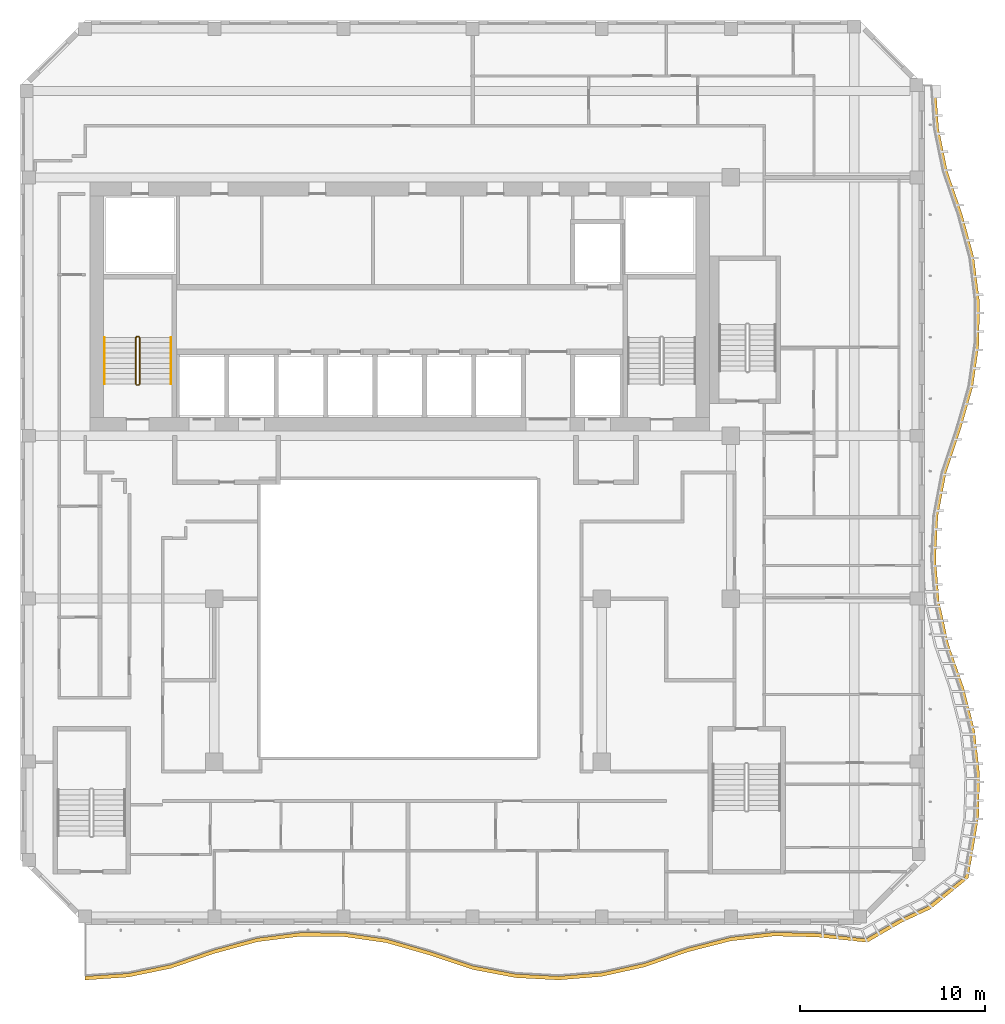
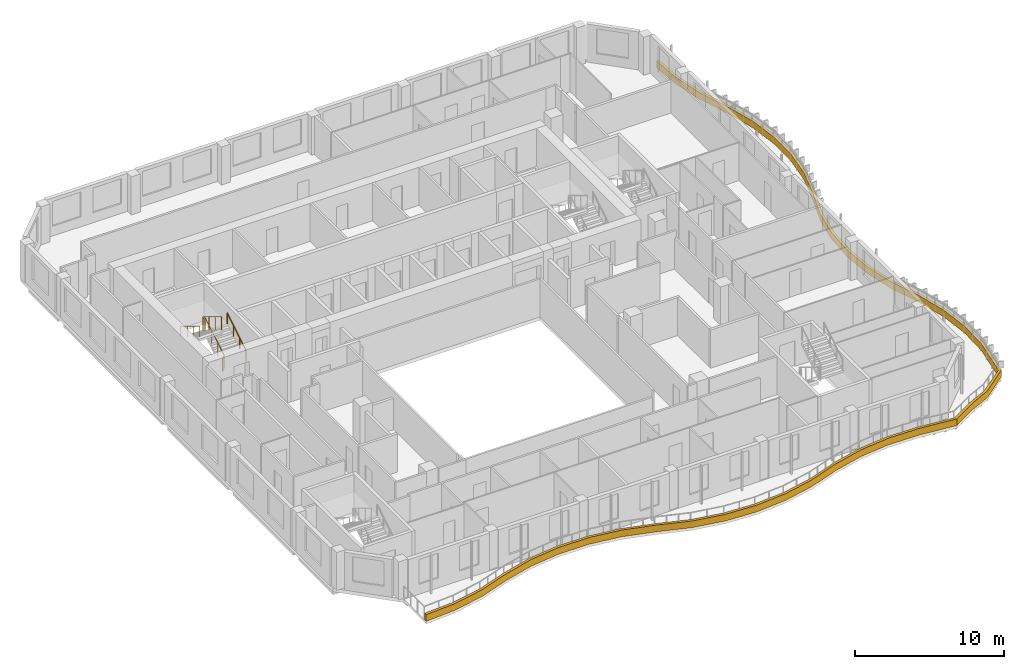
# One storey, part 14 of 19: 3 railings, 1 shading device.
"""IFC4 building model written with IfcOpenShell, lengths in metres."""

from ifc_helpers import new_model, si_unit, direction, frame, origin, origin_2d, place, context, subcontext, project, spatial, polyline, circle, outline, extrude, source, transform, mapped, material, layer, layer_set, type_object, element, save


model = new_model("IFC4")

# Units and contexts
model_context = context("Model", 3, precision=1e-05, world=origin(), true_north=direction((0.0, 1.0)))
body_context = subcontext(model_context, "Body", "Model", "MODEL_VIEW")
ifc_project = project(units=[si_unit("LENGTHUNIT", "METRE"), si_unit("AREAUNIT", "SQUARE_METRE"), si_unit("VOLUMEUNIT", "CUBIC_METRE"), si_unit("PLANEANGLEUNIT", "RADIAN"), si_unit("MASSUNIT", "GRAM", prefix="KILO")], contexts=[model_context])

# Site, building, storey
site_placement = place(None, origin())
site = spatial("IfcSite", under=ifc_project, at=site_placement, CompositionType="ELEMENT")
building_placement = place(site_placement, origin())
building = spatial("IfcBuilding", under=site, at=building_placement, Name="Kilnfold Tower and Market Hall", CompositionType="ELEMENT")
storey_placement = place(building_placement, frame((0.0, 0.0, 252.60009765625)))
storey = spatial("IfcBuildingStorey", under=building, at=storey_placement, Name="L61", CompositionType="ELEMENT", Elevation=252.60009765625)

# Railings
ifc_material_1 = material(Name="Stainless steel 316", Category="steel")
railing_type_1 = type_object("IfcRailingType", Name="CORE STAIR GUARD 1100", PredefinedType="GUARDRAIL", material=ifc_material_1)
railing_1_placement = place(storey_placement, frame((-13.199951171875, 10.75, 0.0)))
element("IfcRailing", 1, at=railing_1_placement, inside=storey, type_object=railing_type_1, Name="L61 ST1 stair guard 1", PredefinedType="GUARDRAIL", context=body_context, shape_type="SweptSolid", body=[
    extrude(circle(Radius=0.02392578125, at=origin_2d()), frame((0.0, 0.0, 1.076171875), z_axis=(1.0, 0.0, 0.0), x_axis=(0.0, 1.0, 0.0)), (0.0, 0.0, 1.0), 0.099853515625),
    extrude(circle(Radius=0.02392578125, at=origin_2d()), frame((0.099853515625, 0.0, 1.076171875), z_axis=(0.271895245746, 0.271895245746, 0.923117517265), x_axis=(-0.707106781187, 0.707106781187, 0.0)), (0.0, 0.0, 1.0), 0.18408203125),
    extrude(circle(Radius=0.02392578125, at=origin_2d()), frame((0.14990234375, 0.050048828125, 1.24609375), z_axis=(0.0, 0.85478489116, 0.518982456201), x_axis=(-1.0, 0.0, 0.0)), (0.0, 0.0, 1.0), 2.9482421875),
    extrude(circle(Radius=0.02392578125, at=origin_2d()), frame((0.14990234375, 2.570068359375, 2.77587890625), z_axis=(-0.707106781187, 0.707106781187, 0.0), x_axis=(-0.707106781187, -0.707106781187, 0.0)), (0.0, 0.0, 1.0), 0.07080078125),
    extrude(circle(Radius=0.02392578125, at=origin_2d()), frame((0.099853515625, 2.6201171875, 2.77587890625), z_axis=(-1.0, 0.0, 0.0), x_axis=(0.0, -1.0, 0.0)), (0.0, 0.0, 1.0), 0.099853515625),
    extrude(circle(Radius=0.02392578125, at=origin_2d()), frame((0.0, 2.6201171875, 2.77587890625), z_axis=(-0.271895245746, -0.271895245746, 0.923117517265), x_axis=(0.707106781187, -0.707106781187, 0.0)), (0.0, 0.0, 1.0), 0.18408203125),
    extrude(circle(Radius=0.02392578125, at=origin_2d()), frame((-0.050048828125, 2.570068359375, 2.94580078125), z_axis=(0.0, -0.85478489116, 0.518982456201), x_axis=(1.0, 0.0, 0.0)), (0.0, 0.0, 1.0), 2.9482421875),
    extrude(circle(Radius=0.02099609375, at=origin_2d()), origin(), (0.0, 0.0, 1.0), 1.052001953125),
    extrude(circle(Radius=0.02099609375, at=origin_2d()), frame((0.099853515625, 0.0, 0.0)), (0.0, 0.0, 1.0), 1.052001953125),
    extrude(circle(Radius=0.02099609375, at=origin_2d()), frame((0.14990234375, 0.050048828125, 0.169921875)), (0.0, 0.0, 1.0), 1.052001953125),
    extrude(circle(Radius=0.02099609375, at=origin_2d()), frame((0.14990234375, 0.89013671875, 0.679931640625)), (0.0, 0.0, 1.0), 1.052001953125),
    extrude(circle(Radius=0.02099609375, at=origin_2d()), frame((0.14990234375, 1.72998046875, 1.18994140625)), (0.0, 0.0, 1.0), 1.052001953125),
    extrude(circle(Radius=0.02099609375, at=origin_2d()), frame((0.14990234375, 2.570068359375, 1.699951171875)), (0.0, 0.0, 1.0), 1.052001953125),
    extrude(circle(Radius=0.02099609375, at=origin_2d()), frame((0.099853515625, 2.6201171875, 1.699951171875)), (0.0, 0.0, 1.0), 1.052001953125),
    extrude(circle(Radius=0.02099609375, at=origin_2d()), frame((0.0, 2.6201171875, 1.699951171875)), (0.0, 0.0, 1.0), 1.052001953125),
    extrude(circle(Radius=0.02099609375, at=origin_2d()), frame((-0.050048828125, 2.570068359375, 1.869873046875)), (0.0, 0.0, 1.0), 1.052001953125),
    extrude(circle(Radius=0.02099609375, at=origin_2d()), frame((-0.050048828125, 1.72998046875, 2.3798828125)), (0.0, 0.0, 1.0), 1.052001953125),
    extrude(circle(Radius=0.02099609375, at=origin_2d()), frame((-0.050048828125, 0.89013671875, 2.889892578125)), (0.0, 0.0, 1.0), 1.052001953125),
    extrude(circle(Radius=0.02099609375, at=origin_2d()), frame((-0.050048828125, 0.050048828125, 3.39990234375)), (0.0, 0.0, 1.0), 1.052001953125),
])
ifc_material_2 = material(Name="Stainless steel 316", Category="steel")
railing_type_2 = type_object("IfcRailingType", Name="CORE STAIR HANDRAIL 900", PredefinedType="HANDRAIL", material=ifc_material_2)
railing_2_placement = place(storey_placement, frame((-11.35009765625, 10.800048828125, 0.169921875)))
element("IfcRailing", 2, at=railing_2_placement, inside=storey, type_object=railing_type_2, Name="L61 ST1 stair handrail 1", PredefinedType="HANDRAIL", context=body_context, shape_type="SweptSolid", body=[
    extrude(circle(Radius=0.02392578125, at=origin_2d()), frame((0.0, 0.0, 0.8759765625), z_axis=(0.0, 0.85478489116, 0.518982456201), x_axis=(-1.0, 0.0, 0.0)), (0.0, 0.0, 1.0), 2.9482421875),
    extrude(circle(Radius=0.02099609375, at=origin_2d()), origin(), (0.0, 0.0, 1.0), 0.851806640625),
    extrude(circle(Radius=0.02099609375, at=origin_2d()), frame((0.0, 0.840087890625, 0.510009765625)), (0.0, 0.0, 1.0), 0.851806640625),
    extrude(circle(Radius=0.02099609375, at=origin_2d()), frame((0.0, 1.679931640625, 1.02001953125)), (0.0, 0.0, 1.0), 0.851806640625),
    extrude(circle(Radius=0.02099609375, at=origin_2d()), frame((0.0, 2.52001953125, 1.530029296875)), (0.0, 0.0, 1.0), 0.851806640625),
])
railing_3_placement = place(storey_placement, frame((-14.949951171875, 13.320068359375, 1.869873046875)))
element("IfcRailing", 3, at=railing_3_placement, inside=storey, type_object=railing_type_2, Name="L61 ST1 stair handrail 2", PredefinedType="HANDRAIL", context=body_context, shape_type="SweptSolid", body=[
    extrude(circle(Radius=0.02392578125, at=origin_2d()), frame((0.0, 0.0, 0.8759765625), z_axis=(0.0, -0.85478489116, 0.518982456201), x_axis=(1.0, 0.0, 0.0)), (0.0, 0.0, 1.0), 2.9482421875),
    extrude(circle(Radius=0.02099609375, at=origin_2d()), origin(), (0.0, 0.0, 1.0), 0.851806640625),
    extrude(circle(Radius=0.02099609375, at=origin_2d()), frame((0.0, -0.840087890625, 0.510009765625)), (0.0, 0.0, 1.0), 0.851806640625),
    extrude(circle(Radius=0.02099609375, at=origin_2d()), frame((0.0, -1.679931640625, 1.02001953125)), (0.0, 0.0, 1.0), 0.851806640625),
    extrude(circle(Radius=0.02099609375, at=origin_2d()), frame((0.0, -2.52001953125, 1.530029296875)), (0.0, 0.0, 1.0), 0.851806640625),
])

# Shading device
ifc_material_3 = material(Name="Precast concrete C50/60", Category="concrete")
ifc_layer = layer(ifc_material_3, 0.550048828125)
ifc_layer_set = layer_set([ifc_layer], Name="Precast concrete C50/60")
shading_device_type = type_object("IfcShadingDeviceType", Name="BALCONY UPSTAND 550", PredefinedType="USERDEFINED", material=ifc_layer_set)
shared_shape = source(origin(), body_context, "Body", "SweptSolid", [
    extrude(outline(polyline([(-16.0, -21.5), (-13.666748046875, -21.343017578125), (-11.333251953125, -20.86328125), (-9.0, -20.061279296875), (-6.666748046875, -19.4296875), (-4.333251953125, -19.131103515625), (-2.0, -19.14794921875), (0.333251953125, -19.481689453125), (2.666748046875, -20.151123046875), (5.0, -20.931396484375), (7.333251953125, -21.375244140625), (9.666748046875, -21.498291015625), (12.0, -21.306884765625), (14.333251953125, -20.791015625), (16.666748046875, -19.97607421875), (19.0, -19.3818359375), (21.333251953125, -19.117919921875), (23.666748046875, -19.168701171875), (26.39697265625, -19.458251953125), (28.227783203125, -18.394287109375), (29.81787109375, -17.651123046875), (31.86767578125, -15.980712890625), (32.431396484375, -12.666748046875), (32.482177734375, -10.333251953125), (32.218017578125, -8.0), (31.6240234375, -5.666748046875), (30.80908203125, -3.333251953125), (30.29296875, -1.0), (30.101806640625, 1.333251953125), (30.224609375, 3.666748046875), (30.668701171875, 6.0), (31.448974609375, 8.333251953125), (32.118408203125, 10.666748046875), (32.451904296875, 13.0), (32.468994140625, 15.333251953125), (32.170166015625, 17.666748046875), (31.53857421875, 20.0), (30.73681640625, 22.333251953125), (30.257080078125, 24.666748046875), (30.10009765625, 27.0), (29.89990234375, 27.0), (30.056884765625, 24.666748046875), (30.53662109375, 22.333251953125), (31.338623046875, 20.0), (31.97021484375, 17.666748046875), (32.268798828125, 15.333251953125), (32.251953125, 13.0), (31.91845703125, 10.666748046875), (31.248779296875, 8.333251953125), (30.468505859375, 6.0), (30.024658203125, 3.666748046875), (29.90185546875, 1.333251953125), (30.093017578125, -1.0), (30.60888671875, -3.333251953125), (31.424072265625, -5.666748046875), (32.01806640625, -8.0), (32.2822265625, -10.333251953125), (32.231201171875, -12.666748046875), (31.682861328125, -15.904296875), (29.676513671875, -17.509765625), (28.08642578125, -18.2529296875), (26.320556640625, -19.2734375), (23.666748046875, -18.96875), (21.333251953125, -18.917724609375), (19.0, -19.181884765625), (16.666748046875, -19.77587890625), (14.333251953125, -20.591064453125), (12.0, -21.10693359375), (9.666748046875, -21.298095703125), (7.333251953125, -21.17529296875), (5.0, -20.7314453125), (2.666748046875, -19.951171875), (0.333251953125, -19.281494140625), (-2.0, -18.947998046875), (-4.333251953125, -18.93115234375), (-6.666748046875, -19.229736328125), (-9.0, -19.861328125), (-11.333251953125, -20.663330078125), (-13.666748046875, -21.14306640625), (-16.0, -21.300048828125), (-16.0, -21.5)])), origin(), (0.0, 0.0, 1.0), 0.5498046875),
])
shading_device_placement = place(storey_placement, origin())
element("IfcShadingDevice", 4, at=shading_device_placement, inside=storey, type_object=shading_device_type, Name="Balcony fascia L61", ObjectType="FASCIA", PredefinedType="USERDEFINED", context=body_context, shape_type="MappedRepresentation", body=[
    mapped(shared_shape, transform((0.0, 0.0, 0.0))),
])

save(model, "model.ifc")
